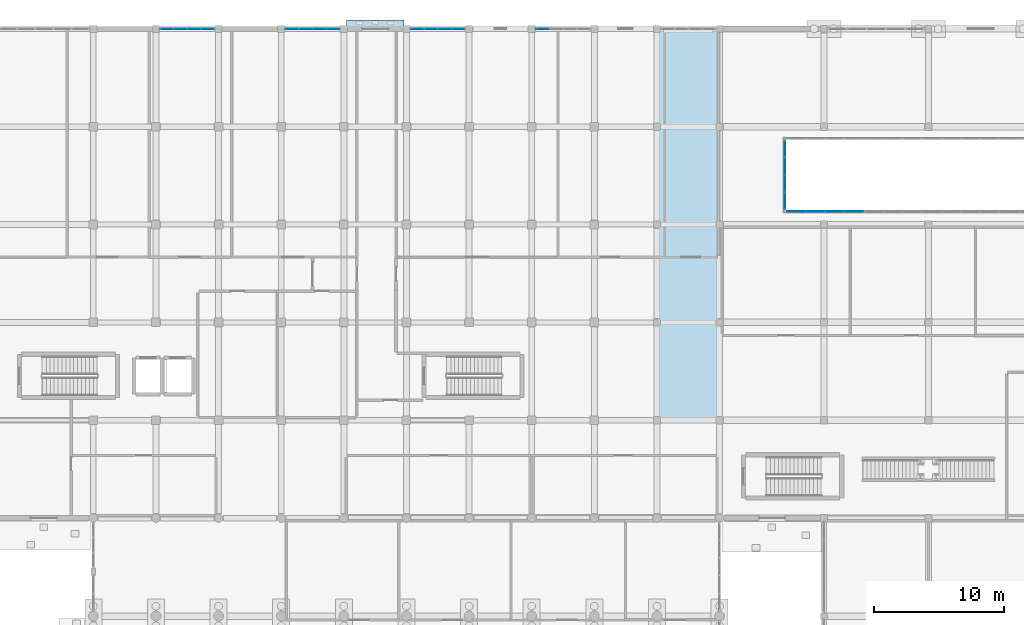
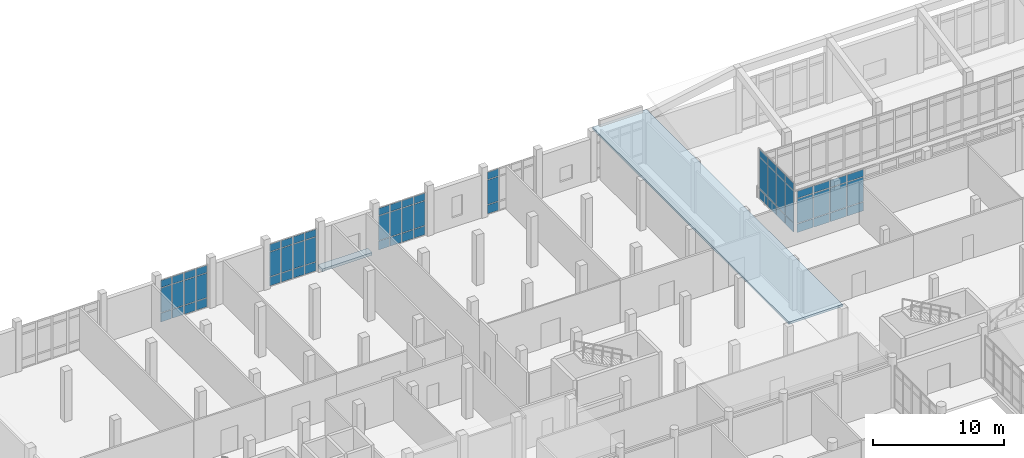
# One storey, part 139 of 173: 63 plates, 2 slabs, 6 elements without a shape of their own.
"""IFC4 building model written with IfcOpenShell, lengths in metres."""

import ifcopenshell
import ifcopenshell.guid

model = None  # the IFC model being written
_history = None  # IfcOwnerHistory: only IFC2X3 demands one
_inside = {}  # id of a spatial element -> (the spatial element, [elements in it])
_under = {}  # id of a project, library or spatial element -> (it, [spatial elements below it])
_declared = {}  # id of a project -> (the project, [libraries it declares])
_typed = {}  # id of a type object -> (the type object, [elements of that type])
_made_of = {}  # id of a material, layer set ... -> (it, [elements and type objects made of it])


def new_model(schema):
    """Start an empty IFC model of exactly this schema.

    Asked for "IFC4X3", IfcOpenShell would pick the latest addendum, in which some entities
    have other attributes; the version numbers below select the first issue.
    IFC2X3 requires an IfcOwnerHistory on every rooted entity: one is made here for all.
    """
    global model, _history
    if schema == "IFC4X3":
        model = ifcopenshell.file(schema_version=(4, 3, 0, 0))
    else:
        model = ifcopenshell.file(schema=schema)
    _inside.clear()
    _under.clear()
    _declared.clear()
    _typed.clear()
    _made_of.clear()
    _history = None
    if model.schema == "IFC2X3":
        org = make("IfcOrganization", Name="unknown")
        user = make(
            "IfcPersonAndOrganization",
            ThePerson=make("IfcPerson", FamilyName="unknown"),
            TheOrganization=org,
        )
        app = make(
            "IfcApplication",
            ApplicationDeveloper=org,
            Version="unknown",
            ApplicationFullName="unknown",
            ApplicationIdentifier="unknown",
        )
        _history = make(
            "IfcOwnerHistory",
            OwningUser=user,
            OwningApplication=app,
            ChangeAction="ADDED",
            CreationDate=0,
        )
    return model


def make(cls, **values):
    """One entity of the class cls with the attributes given. An attribute that is None is left unset."""
    return model.create_entity(
        cls, **{name: value for name, value in values.items() if value is not None}
    )


def rooted(cls, **values):
    """An entity with a GlobalId (a new one), such as an element, a storey or a relation."""
    return make(cls, GlobalId=ifcopenshell.guid.new(), OwnerHistory=_history, **values)


def si_unit(unit_type, name, prefix=None):
    """IfcSIUnit, for example si_unit("LENGTHUNIT", "METRE", prefix="MILLI")."""
    return make("IfcSIUnit", UnitType=unit_type, Prefix=prefix, Name=name)


def assignment(units):
    """IfcUnitAssignment: the units of a project."""
    return None if units is None else make("IfcUnitAssignment", Units=units)


def point(xyz):
    """IfcCartesianPoint."""
    return None if xyz is None else make("IfcCartesianPoint", Coordinates=xyz)


def direction(xyz):
    """IfcDirection."""
    return None if xyz is None else make("IfcDirection", DirectionRatios=xyz)


def frame(location, z_axis=None, x_axis=None):
    """IfcAxis2Placement3D, a coordinate frame: its origin and axes. An axis left out is left unset."""
    return make(
        "IfcAxis2Placement3D",
        Location=point(location),
        Axis=direction(z_axis),
        RefDirection=direction(x_axis),
    )


def frame_2d(location, x_axis=None):
    """IfcAxis2Placement2D, a coordinate frame in the plane: its origin and x axis."""
    return make(
        "IfcAxis2Placement2D", Location=point(location), RefDirection=direction(x_axis)
    )


def origin():
    """The frame at (0, 0, 0) with its axes left unset."""
    return frame((0.0, 0.0, 0.0))


def origin_2d():
    """The frame at (0, 0) in the plane with its x axis left unset."""
    return frame_2d((0.0, 0.0))


def place(relative_to, where):
    """IfcLocalPlacement: puts the frame where relative to a parent placement (None: the world)."""
    return make(
        "IfcLocalPlacement", PlacementRelTo=relative_to, RelativePlacement=where
    )


def context(
    kind, dimensions, precision=None, world=None, true_north=None, identifier=None
):
    """IfcGeometricRepresentationContext, for example the 3D "Model" context."""
    return make(
        "IfcGeometricRepresentationContext",
        ContextIdentifier=identifier,
        ContextType=kind,
        CoordinateSpaceDimension=dimensions,
        Precision=precision,
        WorldCoordinateSystem=world,
        TrueNorth=true_north,
    )


def subcontext(parent, identifier, kind, view, scale=None):
    """IfcGeometricRepresentationSubContext, for example "Body" below "Model"."""
    return make(
        "IfcGeometricRepresentationSubContext",
        ContextIdentifier=identifier,
        ContextType=kind,
        ParentContext=parent,
        TargetScale=scale,
        TargetView=view,
    )


def project(units=None, contexts=None):
    """IfcProject with its units and contexts."""
    return rooted(
        "IfcProject",
        Name="project",
        RepresentationContexts=contexts,
        UnitsInContext=assignment(units),
    )


def spatial(cls, under=None, at=None, **own):
    """A site, building, storey or space (cls), placed at a placement, below another one or the project."""
    s = rooted(cls, ObjectPlacement=at, **own)
    if under is not None:
        _under.setdefault(under.id(), (under, []))[1].append(s)
    return s


def polyline(points):
    """IfcPolyline through the points."""
    return make("IfcPolyline", Points=[point(p) for p in points])


def profile(cls, at=None, kind="AREA", **sizes):
    """A parametric profile (cls). Its sizes go by their IFC names, for example OverallWidth=200.0."""
    return make(cls, ProfileType=kind, Position=at, **sizes)


def rectangle(**sizes):
    """IfcRectangleProfileDef."""
    return profile("IfcRectangleProfileDef", **sizes)


def outline(outer, holes=None, kind="AREA"):
    """IfcArbitraryClosedProfileDef: a profile drawn as a closed curve; with holes, ...WithVoids."""
    if holes is None:
        return make("IfcArbitraryClosedProfileDef", ProfileType=kind, OuterCurve=outer)
    return make(
        "IfcArbitraryProfileDefWithVoids",
        ProfileType=kind,
        OuterCurve=outer,
        InnerCurves=holes,
    )


def extrude(swept, where, along, depth):
    """IfcExtrudedAreaSolid: the profile swept, set in the frame where, extruded along a direction by depth."""
    return make(
        "IfcExtrudedAreaSolid",
        SweptArea=swept,
        Position=where,
        ExtrudedDirection=direction(along),
        Depth=depth,
    )


def shape(context_of_items, identifier, shape_type, items):
    """IfcShapeRepresentation: the items that make up one representation, for example the "Body"."""
    return make(
        "IfcShapeRepresentation",
        ContextOfItems=context_of_items,
        RepresentationIdentifier=identifier,
        RepresentationType=shape_type,
        Items=items,
    )


def material(Name=None, Category=None):
    """IfcMaterial."""
    return make("IfcMaterial", Name=Name, Category=Category)


def layer(
    of_material, thickness, ventilated=None, Name=None, Category=None, Priority=None
):
    """IfcMaterialLayer: one layer of a wall or slab, of a material (None: an air gap)."""
    return make(
        "IfcMaterialLayer",
        Material=of_material,
        LayerThickness=thickness,
        IsVentilated=ventilated,
        Name=Name,
        Category=Category,
        Priority=Priority,
    )


def layer_set(layers, Name=None):
    """IfcMaterialLayerSet."""
    return make("IfcMaterialLayerSet", MaterialLayers=layers, LayerSetName=Name)


def made_of(thing, what):
    """Note that an element or type object is made of a material, layer set ...; save() writes the relation."""
    if what is not None:
        _made_of.setdefault(what.id(), (what, []))[1].append(thing)
    return thing


def type_object(cls, material=None, **own):
    """A type object (cls), such as IfcWallType, which elements share."""
    return made_of(rooted(cls, **own), material)


def element(
    cls,
    number,
    at=None,
    inside=None,
    cuts=None,
    type_object=None,
    material=None,
    context=None,
    identifier="Body",
    shape_type=None,
    held_by="IfcProductDefinitionShape",
    body=None,
    shapes=None,
    **own,
):
    """One element of the class cls, such as IfcWall. Its Tag is "e" and its number.

    at: its placement. inside: the storey or other place that contains it. cuts: it is an
    opening in that element (IfcRelVoidsElement). A single representation is given by context,
    identifier, shape_type and body (its items); several are given by shapes. held_by: the class
    of the entity that holds the representations. save() writes the other relations.
    """
    e = rooted(cls, Tag="e%d" % number, ObjectPlacement=at, **own)
    if body is not None:
        shapes = [shape(context, identifier, shape_type, body)]
    if shapes is not None:
        e.Representation = make(held_by, Representations=shapes)
    if inside is not None:
        _inside.setdefault(inside.id(), (inside, []))[1].append(e)
    if cuts is not None:
        rooted(
            "IfcRelVoidsElement", RelatingBuildingElement=cuts, RelatedOpeningElement=e
        )
    if type_object is not None:
        _typed.setdefault(type_object.id(), (type_object, []))[1].append(e)
    return made_of(e, material)


def aggregate(whole, parts):
    """IfcRelAggregates: a whole, such as a stair, and the parts it consists of."""
    return rooted("IfcRelAggregates", RelatingObject=whole, RelatedObjects=parts)


def save(model, path):
    """Write the relations noted so far, then the file.

    IfcRelAggregates (storeys below a building ...), IfcRelContainedInSpatialStructure (elements
    in a storey), IfcRelDefinesByType, IfcRelAssociatesMaterial and IfcRelDeclares: one each for
    every whole, place, type object, material and project.
    """
    for whole, parts in _under.values():
        aggregate(whole, parts)
    for where, things in _inside.values():
        rooted(
            "IfcRelContainedInSpatialStructure",
            RelatedElements=things,
            RelatingStructure=where,
        )
    for kind, things in _typed.values():
        rooted("IfcRelDefinesByType", RelatedObjects=things, RelatingType=kind)
    for what, things in _made_of.values():
        rooted("IfcRelAssociatesMaterial", RelatedObjects=things, RelatingMaterial=what)
    for by, libraries in _declared.values():
        rooted("IfcRelDeclares", RelatingContext=by, RelatedDefinitions=libraries)
    model.write(path)


model = new_model("IFC4")

# Units and contexts
model_context = context("Model", 3, precision=1e-05, world=origin(), true_north=direction((0.0, 1.0)))
body_context = subcontext(model_context, "Body", "Model", "MODEL_VIEW")
ifc_project = project(units=[si_unit("LENGTHUNIT", "METRE"), si_unit("AREAUNIT", "SQUARE_METRE"), si_unit("VOLUMEUNIT", "CUBIC_METRE"), si_unit("PLANEANGLEUNIT", "RADIAN"), si_unit("MASSUNIT", "GRAM", prefix="KILO")], contexts=[model_context])

# Site, building, storey
site_placement = place(None, origin())
site = spatial("IfcSite", under=ifc_project, at=site_placement, CompositionType="ELEMENT")
building_placement = place(site_placement, origin())
building = spatial("IfcBuilding", under=site, at=building_placement, Name="Mawjan Specialist Oncology Clinic", CompositionType="ELEMENT")
storey_placement = place(building_placement, origin())
storey = spatial("IfcBuildingStorey", under=building, at=storey_placement, Name="L00", CompositionType="ELEMENT", Elevation=0.0)

# Slab
ifc_material_1 = material(Name="Concrete C40/50", Category="concrete")
ifc_layer_1 = layer(ifc_material_1, 0.25, Name="Concrete C40/50", Category="concrete")
ifc_layer_set_1 = layer_set([ifc_layer_1], Name="Concrete C40/50")
slab_type_1 = type_object("IfcSlabType", Name="AP-250", PredefinedType="BASESLAB", material=ifc_layer_set_1)
slab_1_placement = place(storey_placement, frame((0.0, 0.0, -0.25)))
element("IfcSlab", 1, at=slab_1_placement, inside=storey, type_object=slab_type_1, Name="Ground Exterior Paved Apron SLB-APR-K4", PredefinedType="BASESLAB", context=body_context, shape_type="SweptSolid", body=[
    extrude(outline(polyline([(79.39990234375, 113.300048828125), (83.800048828125, 113.300048828125), (83.800048828125, 113.97998046875), (79.39990234375, 113.97998046875), (79.39990234375, 113.300048828125)])), origin(), (0.0, 0.0, 1.0), 0.25),
])

# Curtain wall, plates
ifc_material_2 = material(Name="Unitised spectrally selective aluminium curtain wall", Category="aluminium")
ifc_layer_2 = layer(ifc_material_2, 0.179931640625, Name="Unitised spectrally selective aluminium curtain wall", Category="aluminium")
ifc_layer_set_2 = layer_set([ifc_layer_2], Name="Unitised spectrally selective aluminium curtain wall")
curtain_wall_type_1 = type_object("IfcCurtainWallType", Name="CW-13", PredefinedType="NOTDEFINED", material=ifc_layer_set_2)
curtain_wall_1_placement = place(storey_placement, origin())
curtain_wall_1 = element("IfcCurtainWall", 2, at=curtain_wall_1_placement, inside=storey, type_object=curtain_wall_type_1, Name="L00 Unitised Curtain Wall CW-L00-022", PredefinedType="NOTDEFINED")
ifc_material_3 = material(Name="Spectrally selective double low-E glazing", Category="glass")
ifc_layer_3 = layer(ifc_material_3, 0.035888671875, Name="Spectrally selective double low-E glazing", Category="glass")
ifc_layer_set_3 = layer_set([ifc_layer_3], Name="Spectrally selective double low-E glazing")
plate_type = type_object("IfcPlateType", Name="CW-P36", PredefinedType="CURTAIN_PANEL", material=ifc_layer_set_3)
plate_1_placement = place(storey_placement, frame((65.63623046875, 113.300048828125, 0.06005859375), z_axis=(0.0, 0.0, 1.0), x_axis=(1.0, 0.0, 0.0)))
plate_1 = element("IfcPlate", 3, at=plate_1_placement, type_object=plate_type, Name="CW-13 panel 1.1", PredefinedType="CURTAIN_PANEL", context=body_context, shape_type="SweptSolid", body=[
    extrude(rectangle(XDim=0.96240234375, YDim=0.035888671875, at=origin_2d()), origin(), (0.0, 0.0, 1.0), 0.81005859375),
])
plate_2_placement = place(storey_placement, frame((65.63623046875, 113.300048828125, 0.929931640625), z_axis=(0.0, 0.0, 1.0), x_axis=(1.0, 0.0, 0.0)))
plate_2 = element("IfcPlate", 4, at=plate_2_placement, type_object=plate_type, Name="CW-13 panel 1.2", PredefinedType="CURTAIN_PANEL", context=body_context, shape_type="SweptSolid", body=[
    extrude(rectangle(XDim=0.96240234375, YDim=0.035888671875, at=origin_2d()), origin(), (0.0, 0.0, 1.0), 2.27490234375),
])
plate_3_placement = place(storey_placement, frame((65.63623046875, 113.300048828125, 3.26513671875), z_axis=(0.0, 0.0, 1.0), x_axis=(1.0, 0.0, 0.0)))
plate_3 = element("IfcPlate", 5, at=plate_3_placement, type_object=plate_type, Name="CW-13 panel 1.3", PredefinedType="CURTAIN_PANEL", context=body_context, shape_type="SweptSolid", body=[
    extrude(rectangle(XDim=0.96240234375, YDim=0.035888671875, at=origin_2d()), origin(), (0.0, 0.0, 1.0), 0.659912109375),
])
plate_4_placement = place(storey_placement, frame((66.673828125, 113.300048828125, 0.06005859375), z_axis=(0.0, 0.0, 1.0), x_axis=(1.0, 0.0, 0.0)))
plate_4 = element("IfcPlate", 6, at=plate_4_placement, type_object=plate_type, Name="CW-13 panel 2.1", PredefinedType="CURTAIN_PANEL", context=body_context, shape_type="SweptSolid", body=[
    extrude(rectangle(XDim=0.992431640625, YDim=0.035888671875, at=origin_2d()), origin(), (0.0, 0.0, 1.0), 0.81005859375),
])
plate_5_placement = place(storey_placement, frame((66.673828125, 113.300048828125, 0.929931640625), z_axis=(0.0, 0.0, 1.0), x_axis=(1.0, 0.0, 0.0)))
plate_5 = element("IfcPlate", 7, at=plate_5_placement, type_object=plate_type, Name="CW-13 panel 2.2", PredefinedType="CURTAIN_PANEL", context=body_context, shape_type="SweptSolid", body=[
    extrude(rectangle(XDim=0.992431640625, YDim=0.035888671875, at=origin_2d()), origin(), (0.0, 0.0, 1.0), 2.27490234375),
])
plate_6_placement = place(storey_placement, frame((66.673828125, 113.300048828125, 3.26513671875), z_axis=(0.0, 0.0, 1.0), x_axis=(1.0, 0.0, 0.0)))
plate_6 = element("IfcPlate", 8, at=plate_6_placement, type_object=plate_type, Name="CW-13 panel 2.3", PredefinedType="CURTAIN_PANEL", context=body_context, shape_type="SweptSolid", body=[
    extrude(rectangle(XDim=0.992431640625, YDim=0.035888671875, at=origin_2d()), origin(), (0.0, 0.0, 1.0), 0.659912109375),
])
plate_7_placement = place(storey_placement, frame((67.726318359375, 113.300048828125, 0.06005859375), z_axis=(0.0, 0.0, 1.0), x_axis=(1.0, 0.0, 0.0)))
plate_7 = element("IfcPlate", 9, at=plate_7_placement, type_object=plate_type, Name="CW-13 panel 3.1", PredefinedType="CURTAIN_PANEL", context=body_context, shape_type="SweptSolid", body=[
    extrude(rectangle(XDim=0.992431640625, YDim=0.035888671875, at=origin_2d()), origin(), (0.0, 0.0, 1.0), 0.81005859375),
])
plate_8_placement = place(storey_placement, frame((67.726318359375, 113.300048828125, 0.929931640625), z_axis=(0.0, 0.0, 1.0), x_axis=(1.0, 0.0, 0.0)))
plate_8 = element("IfcPlate", 10, at=plate_8_placement, type_object=plate_type, Name="CW-13 panel 3.2", PredefinedType="CURTAIN_PANEL", context=body_context, shape_type="SweptSolid", body=[
    extrude(rectangle(XDim=0.992431640625, YDim=0.035888671875, at=origin_2d()), origin(), (0.0, 0.0, 1.0), 2.27490234375),
])
plate_9_placement = place(storey_placement, frame((67.726318359375, 113.300048828125, 3.26513671875), z_axis=(0.0, 0.0, 1.0), x_axis=(1.0, 0.0, 0.0)))
plate_9 = element("IfcPlate", 11, at=plate_9_placement, type_object=plate_type, Name="CW-13 panel 3.3", PredefinedType="CURTAIN_PANEL", context=body_context, shape_type="SweptSolid", body=[
    extrude(rectangle(XDim=0.992431640625, YDim=0.035888671875, at=origin_2d()), origin(), (0.0, 0.0, 1.0), 0.659912109375),
])
plate_10_placement = place(storey_placement, frame((68.763671875, 113.300048828125, 0.06005859375), z_axis=(0.0, 0.0, 1.0), x_axis=(1.0, 0.0, 0.0)))
plate_10 = element("IfcPlate", 12, at=plate_10_placement, type_object=plate_type, Name="CW-13 panel 4.1", PredefinedType="CURTAIN_PANEL", context=body_context, shape_type="SweptSolid", body=[
    extrude(rectangle(XDim=0.96240234375, YDim=0.035888671875, at=origin_2d()), origin(), (0.0, 0.0, 1.0), 0.81005859375),
])
plate_11_placement = place(storey_placement, frame((68.763671875, 113.300048828125, 0.929931640625), z_axis=(0.0, 0.0, 1.0), x_axis=(1.0, 0.0, 0.0)))
plate_11 = element("IfcPlate", 13, at=plate_11_placement, type_object=plate_type, Name="CW-13 panel 4.2", PredefinedType="CURTAIN_PANEL", context=body_context, shape_type="SweptSolid", body=[
    extrude(rectangle(XDim=0.96240234375, YDim=0.035888671875, at=origin_2d()), origin(), (0.0, 0.0, 1.0), 2.27490234375),
])
plate_12_placement = place(storey_placement, frame((68.763671875, 113.300048828125, 3.26513671875), z_axis=(0.0, 0.0, 1.0), x_axis=(1.0, 0.0, 0.0)))
plate_12 = element("IfcPlate", 14, at=plate_12_placement, type_object=plate_type, Name="CW-13 panel 4.3", PredefinedType="CURTAIN_PANEL", context=body_context, shape_type="SweptSolid", body=[
    extrude(rectangle(XDim=0.96240234375, YDim=0.035888671875, at=origin_2d()), origin(), (0.0, 0.0, 1.0), 0.659912109375),
])
aggregate(curtain_wall_1, [plate_1, plate_2, plate_3, plate_4, plate_5, plate_6, plate_7, plate_8, plate_9, plate_10, plate_11, plate_12])

curtain_wall_2_placement = place(storey_placement, origin())
curtain_wall_2 = element("IfcCurtainWall", 15, at=curtain_wall_2_placement, inside=storey, type_object=curtain_wall_type_1, Name="L00 Unitised Curtain Wall CW-L00-023", PredefinedType="NOTDEFINED")
plate_13_placement = place(storey_placement, frame((75.236328125, 113.300048828125, 0.06005859375), z_axis=(0.0, 0.0, 1.0), x_axis=(1.0, 0.0, 0.0)))
plate_13 = element("IfcPlate", 16, at=plate_13_placement, type_object=plate_type, Name="CW-13 panel 1.1", PredefinedType="CURTAIN_PANEL", context=body_context, shape_type="SweptSolid", body=[
    extrude(rectangle(XDim=0.96240234375, YDim=0.035888671875, at=origin_2d()), origin(), (0.0, 0.0, 1.0), 0.81005859375),
])
plate_14_placement = place(storey_placement, frame((75.236328125, 113.300048828125, 0.929931640625), z_axis=(0.0, 0.0, 1.0), x_axis=(1.0, 0.0, 0.0)))
plate_14 = element("IfcPlate", 17, at=plate_14_placement, type_object=plate_type, Name="CW-13 panel 1.2", PredefinedType="CURTAIN_PANEL", context=body_context, shape_type="SweptSolid", body=[
    extrude(rectangle(XDim=0.96240234375, YDim=0.035888671875, at=origin_2d()), origin(), (0.0, 0.0, 1.0), 2.27490234375),
])
plate_15_placement = place(storey_placement, frame((75.236328125, 113.300048828125, 3.26513671875), z_axis=(0.0, 0.0, 1.0), x_axis=(1.0, 0.0, 0.0)))
plate_15 = element("IfcPlate", 18, at=plate_15_placement, type_object=plate_type, Name="CW-13 panel 1.3", PredefinedType="CURTAIN_PANEL", context=body_context, shape_type="SweptSolid", body=[
    extrude(rectangle(XDim=0.96240234375, YDim=0.035888671875, at=origin_2d()), origin(), (0.0, 0.0, 1.0), 0.659912109375),
])
plate_16_placement = place(storey_placement, frame((76.273681640625, 113.300048828125, 0.06005859375), z_axis=(0.0, 0.0, 1.0), x_axis=(1.0, 0.0, 0.0)))
plate_16 = element("IfcPlate", 19, at=plate_16_placement, type_object=plate_type, Name="CW-13 panel 2.1", PredefinedType="CURTAIN_PANEL", context=body_context, shape_type="SweptSolid", body=[
    extrude(rectangle(XDim=0.992431640625, YDim=0.035888671875, at=origin_2d()), origin(), (0.0, 0.0, 1.0), 0.81005859375),
])
plate_17_placement = place(storey_placement, frame((76.273681640625, 113.300048828125, 0.929931640625), z_axis=(0.0, 0.0, 1.0), x_axis=(1.0, 0.0, 0.0)))
plate_17 = element("IfcPlate", 20, at=plate_17_placement, type_object=plate_type, Name="CW-13 panel 2.2", PredefinedType="CURTAIN_PANEL", context=body_context, shape_type="SweptSolid", body=[
    extrude(rectangle(XDim=0.992431640625, YDim=0.035888671875, at=origin_2d()), origin(), (0.0, 0.0, 1.0), 2.27490234375),
])
plate_18_placement = place(storey_placement, frame((76.273681640625, 113.300048828125, 3.26513671875), z_axis=(0.0, 0.0, 1.0), x_axis=(1.0, 0.0, 0.0)))
plate_18 = element("IfcPlate", 21, at=plate_18_placement, type_object=plate_type, Name="CW-13 panel 2.3", PredefinedType="CURTAIN_PANEL", context=body_context, shape_type="SweptSolid", body=[
    extrude(rectangle(XDim=0.992431640625, YDim=0.035888671875, at=origin_2d()), origin(), (0.0, 0.0, 1.0), 0.659912109375),
])
plate_19_placement = place(storey_placement, frame((77.326171875, 113.300048828125, 0.06005859375), z_axis=(0.0, 0.0, 1.0), x_axis=(1.0, 0.0, 0.0)))
plate_19 = element("IfcPlate", 22, at=plate_19_placement, type_object=plate_type, Name="CW-13 panel 3.1", PredefinedType="CURTAIN_PANEL", context=body_context, shape_type="SweptSolid", body=[
    extrude(rectangle(XDim=0.992431640625, YDim=0.035888671875, at=origin_2d()), origin(), (0.0, 0.0, 1.0), 0.81005859375),
])
plate_20_placement = place(storey_placement, frame((77.326171875, 113.300048828125, 0.929931640625), z_axis=(0.0, 0.0, 1.0), x_axis=(1.0, 0.0, 0.0)))
plate_20 = element("IfcPlate", 23, at=plate_20_placement, type_object=plate_type, Name="CW-13 panel 3.2", PredefinedType="CURTAIN_PANEL", context=body_context, shape_type="SweptSolid", body=[
    extrude(rectangle(XDim=0.992431640625, YDim=0.035888671875, at=origin_2d()), origin(), (0.0, 0.0, 1.0), 2.27490234375),
])
plate_21_placement = place(storey_placement, frame((77.326171875, 113.300048828125, 3.26513671875), z_axis=(0.0, 0.0, 1.0), x_axis=(1.0, 0.0, 0.0)))
plate_21 = element("IfcPlate", 24, at=plate_21_placement, type_object=plate_type, Name="CW-13 panel 3.3", PredefinedType="CURTAIN_PANEL", context=body_context, shape_type="SweptSolid", body=[
    extrude(rectangle(XDim=0.992431640625, YDim=0.035888671875, at=origin_2d()), origin(), (0.0, 0.0, 1.0), 0.659912109375),
])
plate_22_placement = place(storey_placement, frame((78.36376953125, 113.300048828125, 0.06005859375), z_axis=(0.0, 0.0, 1.0), x_axis=(1.0, 0.0, 0.0)))
plate_22 = element("IfcPlate", 25, at=plate_22_placement, type_object=plate_type, Name="CW-13 panel 4.1", PredefinedType="CURTAIN_PANEL", context=body_context, shape_type="SweptSolid", body=[
    extrude(rectangle(XDim=0.96240234375, YDim=0.035888671875, at=origin_2d()), origin(), (0.0, 0.0, 1.0), 0.81005859375),
])
plate_23_placement = place(storey_placement, frame((78.36376953125, 113.300048828125, 0.929931640625), z_axis=(0.0, 0.0, 1.0), x_axis=(1.0, 0.0, 0.0)))
plate_23 = element("IfcPlate", 26, at=plate_23_placement, type_object=plate_type, Name="CW-13 panel 4.2", PredefinedType="CURTAIN_PANEL", context=body_context, shape_type="SweptSolid", body=[
    extrude(rectangle(XDim=0.96240234375, YDim=0.035888671875, at=origin_2d()), origin(), (0.0, 0.0, 1.0), 2.27490234375),
])
plate_24_placement = place(storey_placement, frame((78.36376953125, 113.300048828125, 3.26513671875), z_axis=(0.0, 0.0, 1.0), x_axis=(1.0, 0.0, 0.0)))
plate_24 = element("IfcPlate", 27, at=plate_24_placement, type_object=plate_type, Name="CW-13 panel 4.3", PredefinedType="CURTAIN_PANEL", context=body_context, shape_type="SweptSolid", body=[
    extrude(rectangle(XDim=0.96240234375, YDim=0.035888671875, at=origin_2d()), origin(), (0.0, 0.0, 1.0), 0.659912109375),
])
aggregate(curtain_wall_2, [plate_13, plate_14, plate_15, plate_16, plate_17, plate_18, plate_19, plate_20, plate_21, plate_22, plate_23, plate_24])

curtain_wall_3_placement = place(storey_placement, origin())
curtain_wall_3 = element("IfcCurtainWall", 28, at=curtain_wall_3_placement, inside=storey, type_object=curtain_wall_type_1, Name="L00 Unitised Curtain Wall CW-L00-024", PredefinedType="NOTDEFINED")
plate_25_placement = place(storey_placement, frame((84.836181640625, 113.300048828125, 0.06005859375), z_axis=(0.0, 0.0, 1.0), x_axis=(1.0, 0.0, 0.0)))
plate_25 = element("IfcPlate", 29, at=plate_25_placement, type_object=plate_type, Name="CW-13 panel 1.1", PredefinedType="CURTAIN_PANEL", context=body_context, shape_type="SweptSolid", body=[
    extrude(rectangle(XDim=0.96240234375, YDim=0.035888671875, at=origin_2d()), origin(), (0.0, 0.0, 1.0), 0.81005859375),
])
plate_26_placement = place(storey_placement, frame((84.836181640625, 113.300048828125, 0.929931640625), z_axis=(0.0, 0.0, 1.0), x_axis=(1.0, 0.0, 0.0)))
plate_26 = element("IfcPlate", 30, at=plate_26_placement, type_object=plate_type, Name="CW-13 panel 1.2", PredefinedType="CURTAIN_PANEL", context=body_context, shape_type="SweptSolid", body=[
    extrude(rectangle(XDim=0.96240234375, YDim=0.035888671875, at=origin_2d()), origin(), (0.0, 0.0, 1.0), 2.27490234375),
])
plate_27_placement = place(storey_placement, frame((84.836181640625, 113.300048828125, 3.26513671875), z_axis=(0.0, 0.0, 1.0), x_axis=(1.0, 0.0, 0.0)))
plate_27 = element("IfcPlate", 31, at=plate_27_placement, type_object=plate_type, Name="CW-13 panel 1.3", PredefinedType="CURTAIN_PANEL", context=body_context, shape_type="SweptSolid", body=[
    extrude(rectangle(XDim=0.96240234375, YDim=0.035888671875, at=origin_2d()), origin(), (0.0, 0.0, 1.0), 0.659912109375),
])
plate_28_placement = place(storey_placement, frame((85.873779296875, 113.300048828125, 0.06005859375), z_axis=(0.0, 0.0, 1.0), x_axis=(1.0, 0.0, 0.0)))
plate_28 = element("IfcPlate", 32, at=plate_28_placement, type_object=plate_type, Name="CW-13 panel 2.1", PredefinedType="CURTAIN_PANEL", context=body_context, shape_type="SweptSolid", body=[
    extrude(rectangle(XDim=0.992431640625, YDim=0.035888671875, at=origin_2d()), origin(), (0.0, 0.0, 1.0), 0.81005859375),
])
plate_29_placement = place(storey_placement, frame((85.873779296875, 113.300048828125, 0.929931640625), z_axis=(0.0, 0.0, 1.0), x_axis=(1.0, 0.0, 0.0)))
plate_29 = element("IfcPlate", 33, at=plate_29_placement, type_object=plate_type, Name="CW-13 panel 2.2", PredefinedType="CURTAIN_PANEL", context=body_context, shape_type="SweptSolid", body=[
    extrude(rectangle(XDim=0.992431640625, YDim=0.035888671875, at=origin_2d()), origin(), (0.0, 0.0, 1.0), 2.27490234375),
])
plate_30_placement = place(storey_placement, frame((85.873779296875, 113.300048828125, 3.26513671875), z_axis=(0.0, 0.0, 1.0), x_axis=(1.0, 0.0, 0.0)))
plate_30 = element("IfcPlate", 34, at=plate_30_placement, type_object=plate_type, Name="CW-13 panel 2.3", PredefinedType="CURTAIN_PANEL", context=body_context, shape_type="SweptSolid", body=[
    extrude(rectangle(XDim=0.992431640625, YDim=0.035888671875, at=origin_2d()), origin(), (0.0, 0.0, 1.0), 0.659912109375),
])
plate_31_placement = place(storey_placement, frame((86.92626953125, 113.300048828125, 0.06005859375), z_axis=(0.0, 0.0, 1.0), x_axis=(1.0, 0.0, 0.0)))
plate_31 = element("IfcPlate", 35, at=plate_31_placement, type_object=plate_type, Name="CW-13 panel 3.1", PredefinedType="CURTAIN_PANEL", context=body_context, shape_type="SweptSolid", body=[
    extrude(rectangle(XDim=0.992431640625, YDim=0.035888671875, at=origin_2d()), origin(), (0.0, 0.0, 1.0), 0.81005859375),
])
plate_32_placement = place(storey_placement, frame((86.92626953125, 113.300048828125, 0.929931640625), z_axis=(0.0, 0.0, 1.0), x_axis=(1.0, 0.0, 0.0)))
plate_32 = element("IfcPlate", 36, at=plate_32_placement, type_object=plate_type, Name="CW-13 panel 3.2", PredefinedType="CURTAIN_PANEL", context=body_context, shape_type="SweptSolid", body=[
    extrude(rectangle(XDim=0.992431640625, YDim=0.035888671875, at=origin_2d()), origin(), (0.0, 0.0, 1.0), 2.27490234375),
])
plate_33_placement = place(storey_placement, frame((86.92626953125, 113.300048828125, 3.26513671875), z_axis=(0.0, 0.0, 1.0), x_axis=(1.0, 0.0, 0.0)))
plate_33 = element("IfcPlate", 37, at=plate_33_placement, type_object=plate_type, Name="CW-13 panel 3.3", PredefinedType="CURTAIN_PANEL", context=body_context, shape_type="SweptSolid", body=[
    extrude(rectangle(XDim=0.992431640625, YDim=0.035888671875, at=origin_2d()), origin(), (0.0, 0.0, 1.0), 0.659912109375),
])
plate_34_placement = place(storey_placement, frame((87.9638671875, 113.300048828125, 0.06005859375), z_axis=(0.0, 0.0, 1.0), x_axis=(1.0, 0.0, 0.0)))
plate_34 = element("IfcPlate", 38, at=plate_34_placement, type_object=plate_type, Name="CW-13 panel 4.1", PredefinedType="CURTAIN_PANEL", context=body_context, shape_type="SweptSolid", body=[
    extrude(rectangle(XDim=0.96240234375, YDim=0.035888671875, at=origin_2d()), origin(), (0.0, 0.0, 1.0), 0.81005859375),
])
plate_35_placement = place(storey_placement, frame((87.9638671875, 113.300048828125, 0.929931640625), z_axis=(0.0, 0.0, 1.0), x_axis=(1.0, 0.0, 0.0)))
plate_35 = element("IfcPlate", 39, at=plate_35_placement, type_object=plate_type, Name="CW-13 panel 4.2", PredefinedType="CURTAIN_PANEL", context=body_context, shape_type="SweptSolid", body=[
    extrude(rectangle(XDim=0.96240234375, YDim=0.035888671875, at=origin_2d()), origin(), (0.0, 0.0, 1.0), 2.27490234375),
])
plate_36_placement = place(storey_placement, frame((87.9638671875, 113.300048828125, 3.26513671875), z_axis=(0.0, 0.0, 1.0), x_axis=(1.0, 0.0, 0.0)))
plate_36 = element("IfcPlate", 40, at=plate_36_placement, type_object=plate_type, Name="CW-13 panel 4.3", PredefinedType="CURTAIN_PANEL", context=body_context, shape_type="SweptSolid", body=[
    extrude(rectangle(XDim=0.96240234375, YDim=0.035888671875, at=origin_2d()), origin(), (0.0, 0.0, 1.0), 0.659912109375),
])
aggregate(curtain_wall_3, [plate_25, plate_26, plate_27, plate_28, plate_29, plate_30, plate_31, plate_32, plate_33, plate_34, plate_35, plate_36])

curtain_wall_4_placement = place(storey_placement, origin())
curtain_wall_4 = element("IfcCurtainWall", 41, at=curtain_wall_4_placement, inside=storey, type_object=curtain_wall_type_1, Name="L00 Unitised Curtain Wall CW-L00-025", PredefinedType="NOTDEFINED")
plate_37_placement = place(storey_placement, frame((94.436279296875, 113.300048828125, 0.06005859375), z_axis=(0.0, 0.0, 1.0), x_axis=(1.0, 0.0, 0.0)))
plate_37 = element("IfcPlate", 42, at=plate_37_placement, type_object=plate_type, Name="CW-13 panel 1.1", PredefinedType="CURTAIN_PANEL", context=body_context, shape_type="SweptSolid", body=[
    extrude(rectangle(XDim=0.96240234375, YDim=0.035888671875, at=origin_2d()), origin(), (0.0, 0.0, 1.0), 0.81005859375),
])
plate_38_placement = place(storey_placement, frame((94.436279296875, 113.300048828125, 0.929931640625), z_axis=(0.0, 0.0, 1.0), x_axis=(1.0, 0.0, 0.0)))
plate_38 = element("IfcPlate", 43, at=plate_38_placement, type_object=plate_type, Name="CW-13 panel 1.2", PredefinedType="CURTAIN_PANEL", context=body_context, shape_type="SweptSolid", body=[
    extrude(rectangle(XDim=0.96240234375, YDim=0.035888671875, at=origin_2d()), origin(), (0.0, 0.0, 1.0), 2.27490234375),
])
plate_39_placement = place(storey_placement, frame((94.436279296875, 113.300048828125, 3.26513671875), z_axis=(0.0, 0.0, 1.0), x_axis=(1.0, 0.0, 0.0)))
plate_39 = element("IfcPlate", 44, at=plate_39_placement, type_object=plate_type, Name="CW-13 panel 1.3", PredefinedType="CURTAIN_PANEL", context=body_context, shape_type="SweptSolid", body=[
    extrude(rectangle(XDim=0.96240234375, YDim=0.035888671875, at=origin_2d()), origin(), (0.0, 0.0, 1.0), 0.659912109375),
])
aggregate(curtain_wall_4, [plate_37, plate_38, plate_39])

ifc_material_4 = material(Name="Unitised spectrally selective aluminium curtain wall", Category="aluminium")
ifc_layer_4 = layer(ifc_material_4, 0.179931640625, Name="Unitised spectrally selective aluminium curtain wall", Category="aluminium")
ifc_layer_set_4 = layer_set([ifc_layer_4], Name="Unitised spectrally selective aluminium curtain wall")
curtain_wall_type_2 = type_object("IfcCurtainWallType", Name="CW-32", PredefinedType="NOTDEFINED", material=ifc_layer_set_4)
curtain_wall_5_placement = place(storey_placement, origin())
curtain_wall_5 = element("IfcCurtainWall", 45, at=curtain_wall_5_placement, inside=storey, type_object=curtain_wall_type_2, Name="L00 Unitised Curtain Wall CW-L00-073", PredefinedType="NOTDEFINED")
plate_40_placement = place(storey_placement, frame((113.0, 104.10009765625, 0.070068359375), z_axis=(0.0, 0.0, 1.0), x_axis=(0.0, -1.0, 0.0)))
plate_40 = element("IfcPlate", 46, at=plate_40_placement, type_object=plate_type, Name="CW-32 panel 1.1", PredefinedType="CURTAIN_PANEL", context=body_context, shape_type="SweptSolid", body=[
    extrude(rectangle(XDim=1.239990234375, YDim=0.035888671875, at=origin_2d()), origin(), (0.0, 0.0, 1.0), 0.794921875),
])
plate_41_placement = place(storey_placement, frame((113.0, 104.10009765625, 0.93505859375), z_axis=(0.0, 0.0, 1.0), x_axis=(0.0, -1.0, 0.0)))
plate_41 = element("IfcPlate", 47, at=plate_41_placement, type_object=plate_type, Name="CW-32 panel 1.2", PredefinedType="CURTAIN_PANEL", context=body_context, shape_type="SweptSolid", body=[
    extrude(rectangle(XDim=1.239990234375, YDim=0.035888671875, at=origin_2d()), origin(), (0.0, 0.0, 1.0), 2.97998046875),
])
plate_42_placement = place(storey_placement, frame((113.0, 104.10009765625, 3.985107421875), z_axis=(0.0, 0.0, 1.0), x_axis=(0.0, -1.0, 0.0)))
plate_42 = element("IfcPlate", 48, at=plate_42_placement, type_object=plate_type, Name="CW-32 panel 1.3", PredefinedType="CURTAIN_PANEL", context=body_context, shape_type="SweptSolid", body=[
    extrude(rectangle(XDim=1.239990234375, YDim=0.035888671875, at=origin_2d()), origin(), (0.0, 0.0, 1.0), 0.64501953125),
])
plate_43_placement = place(storey_placement, frame((113.0, 102.7724609375, 0.070068359375), z_axis=(0.0, 0.0, 1.0), x_axis=(0.0, -1.0, 0.0)))
plate_43 = element("IfcPlate", 49, at=plate_43_placement, type_object=plate_type, Name="CW-32 panel 2.1", PredefinedType="CURTAIN_PANEL", context=body_context, shape_type="SweptSolid", body=[
    extrude(rectangle(XDim=1.27490234375, YDim=0.035888671875, at=origin_2d()), origin(), (0.0, 0.0, 1.0), 0.794921875),
])
plate_44_placement = place(storey_placement, frame((113.0, 102.7724609375, 0.93505859375), z_axis=(0.0, 0.0, 1.0), x_axis=(0.0, -1.0, 0.0)))
plate_44 = element("IfcPlate", 50, at=plate_44_placement, type_object=plate_type, Name="CW-32 panel 2.2", PredefinedType="CURTAIN_PANEL", context=body_context, shape_type="SweptSolid", body=[
    extrude(rectangle(XDim=1.27490234375, YDim=0.035888671875, at=origin_2d()), origin(), (0.0, 0.0, 1.0), 2.97998046875),
])
plate_45_placement = place(storey_placement, frame((113.0, 102.7724609375, 3.985107421875), z_axis=(0.0, 0.0, 1.0), x_axis=(0.0, -1.0, 0.0)))
plate_45 = element("IfcPlate", 51, at=plate_45_placement, type_object=plate_type, Name="CW-32 panel 2.3", PredefinedType="CURTAIN_PANEL", context=body_context, shape_type="SweptSolid", body=[
    extrude(rectangle(XDim=1.27490234375, YDim=0.035888671875, at=origin_2d()), origin(), (0.0, 0.0, 1.0), 0.64501953125),
])
plate_46_placement = place(storey_placement, frame((113.0, 101.427490234375, 0.070068359375), z_axis=(0.0, 0.0, 1.0), x_axis=(0.0, -1.0, 0.0)))
plate_46 = element("IfcPlate", 52, at=plate_46_placement, type_object=plate_type, Name="CW-32 panel 3.1", PredefinedType="CURTAIN_PANEL", context=body_context, shape_type="SweptSolid", body=[
    extrude(rectangle(XDim=1.27490234375, YDim=0.035888671875, at=origin_2d()), origin(), (0.0, 0.0, 1.0), 0.794921875),
])
plate_47_placement = place(storey_placement, frame((113.0, 101.427490234375, 0.93505859375), z_axis=(0.0, 0.0, 1.0), x_axis=(0.0, -1.0, 0.0)))
plate_47 = element("IfcPlate", 53, at=plate_47_placement, type_object=plate_type, Name="CW-32 panel 3.2", PredefinedType="CURTAIN_PANEL", context=body_context, shape_type="SweptSolid", body=[
    extrude(rectangle(XDim=1.27490234375, YDim=0.035888671875, at=origin_2d()), origin(), (0.0, 0.0, 1.0), 2.97998046875),
])
plate_48_placement = place(storey_placement, frame((113.0, 101.427490234375, 3.985107421875), z_axis=(0.0, 0.0, 1.0), x_axis=(0.0, -1.0, 0.0)))
plate_48 = element("IfcPlate", 54, at=plate_48_placement, type_object=plate_type, Name="CW-32 panel 3.3", PredefinedType="CURTAIN_PANEL", context=body_context, shape_type="SweptSolid", body=[
    extrude(rectangle(XDim=1.27490234375, YDim=0.035888671875, at=origin_2d()), origin(), (0.0, 0.0, 1.0), 0.64501953125),
])
plate_49_placement = place(storey_placement, frame((113.0, 100.10009765625, 0.070068359375), z_axis=(0.0, 0.0, 1.0), x_axis=(0.0, -1.0, 0.0)))
plate_49 = element("IfcPlate", 55, at=plate_49_placement, type_object=plate_type, Name="CW-32 panel 4.1", PredefinedType="CURTAIN_PANEL", context=body_context, shape_type="SweptSolid", body=[
    extrude(rectangle(XDim=1.239990234375, YDim=0.035888671875, at=origin_2d()), origin(), (0.0, 0.0, 1.0), 0.794921875),
])
plate_50_placement = place(storey_placement, frame((113.0, 100.10009765625, 0.93505859375), z_axis=(0.0, 0.0, 1.0), x_axis=(0.0, -1.0, 0.0)))
plate_50 = element("IfcPlate", 56, at=plate_50_placement, type_object=plate_type, Name="CW-32 panel 4.2", PredefinedType="CURTAIN_PANEL", context=body_context, shape_type="SweptSolid", body=[
    extrude(rectangle(XDim=1.239990234375, YDim=0.035888671875, at=origin_2d()), origin(), (0.0, 0.0, 1.0), 2.97998046875),
])
plate_51_placement = place(storey_placement, frame((113.0, 100.10009765625, 3.985107421875), z_axis=(0.0, 0.0, 1.0), x_axis=(0.0, -1.0, 0.0)))
plate_51 = element("IfcPlate", 57, at=plate_51_placement, type_object=plate_type, Name="CW-32 panel 4.3", PredefinedType="CURTAIN_PANEL", context=body_context, shape_type="SweptSolid", body=[
    extrude(rectangle(XDim=1.239990234375, YDim=0.035888671875, at=origin_2d()), origin(), (0.0, 0.0, 1.0), 0.64501953125),
])
aggregate(curtain_wall_5, [plate_40, plate_41, plate_42, plate_43, plate_44, plate_45, plate_46, plate_47, plate_48, plate_49, plate_50, plate_51])

ifc_material_5 = material(Name="Unitised spectrally selective aluminium curtain wall", Category="aluminium")
ifc_layer_5 = layer(ifc_material_5, 0.179931640625, Name="Unitised spectrally selective aluminium curtain wall", Category="aluminium")
ifc_layer_set_5 = layer_set([ifc_layer_5], Name="Unitised spectrally selective aluminium curtain wall")
curtain_wall_type_3 = type_object("IfcCurtainWallType", Name="CW-33", PredefinedType="NOTDEFINED", material=ifc_layer_set_5)
curtain_wall_6_placement = place(storey_placement, origin())
curtain_wall_6 = element("IfcCurtainWall", 58, at=curtain_wall_6_placement, inside=storey, type_object=curtain_wall_type_3, Name="L00 Unitised Curtain Wall CW-L00-074", PredefinedType="NOTDEFINED")
plate_52_placement = place(storey_placement, frame((113.869384765625, 99.300048828125, 0.06494140625), z_axis=(0.0, 0.0, 1.0), x_axis=(1.0, 0.0, 0.0)))
plate_52 = element("IfcPlate", 59, at=plate_52_placement, type_object=plate_type, Name="CW-33 panel 1.1", PredefinedType="CURTAIN_PANEL", context=body_context, shape_type="SweptSolid", body=[
    extrude(rectangle(XDim=1.388671875, YDim=0.035888671875, at=origin_2d()), origin(), (0.0, 0.0, 1.0), 0.802490234375),
])
plate_53_placement = place(storey_placement, frame((113.869384765625, 99.300048828125, 0.932373046875), z_axis=(0.0, 0.0, 1.0), x_axis=(1.0, 0.0, 0.0)))
plate_53 = element("IfcPlate", 60, at=plate_53_placement, type_object=plate_type, Name="CW-33 panel 1.2", PredefinedType="CURTAIN_PANEL", context=body_context, shape_type="SweptSolid", body=[
    extrude(rectangle(XDim=1.388671875, YDim=0.035888671875, at=origin_2d()), origin(), (0.0, 0.0, 1.0), 2.27001953125),
])
plate_54_placement = place(storey_placement, frame((113.869384765625, 99.300048828125, 3.267578125), z_axis=(0.0, 0.0, 1.0), x_axis=(1.0, 0.0, 0.0)))
plate_54 = element("IfcPlate", 61, at=plate_54_placement, type_object=plate_type, Name="CW-33 panel 1.3", PredefinedType="CURTAIN_PANEL", context=body_context, shape_type="SweptSolid", body=[
    extrude(rectangle(XDim=1.388671875, YDim=0.035888671875, at=origin_2d()), origin(), (0.0, 0.0, 1.0), 0.652587890625),
])
plate_55_placement = place(storey_placement, frame((115.339111328125, 99.300048828125, 0.06494140625), z_axis=(0.0, 0.0, 1.0), x_axis=(1.0, 0.0, 0.0)))
plate_55 = element("IfcPlate", 62, at=plate_55_placement, type_object=plate_type, Name="CW-33 panel 2.1", PredefinedType="CURTAIN_PANEL", context=body_context, shape_type="SweptSolid", body=[
    extrude(rectangle(XDim=1.421142578125, YDim=0.035888671875, at=origin_2d()), origin(), (0.0, 0.0, 1.0), 0.802490234375),
])
plate_56_placement = place(storey_placement, frame((115.339111328125, 99.300048828125, 0.932373046875), z_axis=(0.0, 0.0, 1.0), x_axis=(1.0, 0.0, 0.0)))
plate_56 = element("IfcPlate", 63, at=plate_56_placement, type_object=plate_type, Name="CW-33 panel 2.2", PredefinedType="CURTAIN_PANEL", context=body_context, shape_type="SweptSolid", body=[
    extrude(rectangle(XDim=1.421142578125, YDim=0.035888671875, at=origin_2d()), origin(), (0.0, 0.0, 1.0), 2.27001953125),
])
plate_57_placement = place(storey_placement, frame((115.339111328125, 99.300048828125, 3.267578125), z_axis=(0.0, 0.0, 1.0), x_axis=(1.0, 0.0, 0.0)))
plate_57 = element("IfcPlate", 64, at=plate_57_placement, type_object=plate_type, Name="CW-33 panel 2.3", PredefinedType="CURTAIN_PANEL", context=body_context, shape_type="SweptSolid", body=[
    extrude(rectangle(XDim=1.421142578125, YDim=0.035888671875, at=origin_2d()), origin(), (0.0, 0.0, 1.0), 0.652587890625),
])
plate_58_placement = place(storey_placement, frame((116.8251953125, 99.300048828125, 0.06494140625), z_axis=(0.0, 0.0, 1.0), x_axis=(1.0, 0.0, 0.0)))
plate_58 = element("IfcPlate", 65, at=plate_58_placement, type_object=plate_type, Name="CW-33 panel 3.1", PredefinedType="CURTAIN_PANEL", context=body_context, shape_type="SweptSolid", body=[
    extrude(rectangle(XDim=1.421142578125, YDim=0.035888671875, at=origin_2d()), origin(), (0.0, 0.0, 1.0), 0.802490234375),
])
plate_59_placement = place(storey_placement, frame((116.8251953125, 99.300048828125, 0.932373046875), z_axis=(0.0, 0.0, 1.0), x_axis=(1.0, 0.0, 0.0)))
plate_59 = element("IfcPlate", 66, at=plate_59_placement, type_object=plate_type, Name="CW-33 panel 3.2", PredefinedType="CURTAIN_PANEL", context=body_context, shape_type="SweptSolid", body=[
    extrude(rectangle(XDim=1.421142578125, YDim=0.035888671875, at=origin_2d()), origin(), (0.0, 0.0, 1.0), 2.27001953125),
])
plate_60_placement = place(storey_placement, frame((116.8251953125, 99.300048828125, 3.267578125), z_axis=(0.0, 0.0, 1.0), x_axis=(1.0, 0.0, 0.0)))
plate_60 = element("IfcPlate", 67, at=plate_60_placement, type_object=plate_type, Name="CW-33 panel 3.3", PredefinedType="CURTAIN_PANEL", context=body_context, shape_type="SweptSolid", body=[
    extrude(rectangle(XDim=1.421142578125, YDim=0.035888671875, at=origin_2d()), origin(), (0.0, 0.0, 1.0), 0.652587890625),
])
plate_61_placement = place(storey_placement, frame((118.311279296875, 99.300048828125, 0.06494140625), z_axis=(0.0, 0.0, 1.0), x_axis=(1.0, 0.0, 0.0)))
plate_61 = element("IfcPlate", 68, at=plate_61_placement, type_object=plate_type, Name="CW-33 panel 4.1", PredefinedType="CURTAIN_PANEL", context=body_context, shape_type="SweptSolid", body=[
    extrude(rectangle(XDim=1.421142578125, YDim=0.035888671875, at=origin_2d()), origin(), (0.0, 0.0, 1.0), 0.802490234375),
])
plate_62_placement = place(storey_placement, frame((118.311279296875, 99.300048828125, 0.932373046875), z_axis=(0.0, 0.0, 1.0), x_axis=(1.0, 0.0, 0.0)))
plate_62 = element("IfcPlate", 69, at=plate_62_placement, type_object=plate_type, Name="CW-33 panel 4.2", PredefinedType="CURTAIN_PANEL", context=body_context, shape_type="SweptSolid", body=[
    extrude(rectangle(XDim=1.421142578125, YDim=0.035888671875, at=origin_2d()), origin(), (0.0, 0.0, 1.0), 2.27001953125),
])
plate_63_placement = place(storey_placement, frame((118.311279296875, 99.300048828125, 3.267578125), z_axis=(0.0, 0.0, 1.0), x_axis=(1.0, 0.0, 0.0)))
plate_63 = element("IfcPlate", 70, at=plate_63_placement, type_object=plate_type, Name="CW-33 panel 4.3", PredefinedType="CURTAIN_PANEL", context=body_context, shape_type="SweptSolid", body=[
    extrude(rectangle(XDim=1.421142578125, YDim=0.035888671875, at=origin_2d()), origin(), (0.0, 0.0, 1.0), 0.652587890625),
])
aggregate(curtain_wall_6, [plate_52, plate_53, plate_54, plate_55, plate_56, plate_57, plate_58, plate_59, plate_60, plate_61, plate_62, plate_63])

# Slab
ifc_material_6 = material(Name="Concrete C35/45", Category="concrete")
ifc_layer_6 = layer(ifc_material_6, 0.199951171875, Name="Concrete C35/45", Category="concrete")
ifc_layer_set_6 = layer_set([ifc_layer_6], Name="Concrete C35/45")
slab_type_2 = type_object("IfcSlabType", Name="RF-OVR200", PredefinedType="ROOF", material=ifc_layer_set_6)
slab_2_placement = place(storey_placement, frame((0.0, 0.0, 4.699951171875)))
element("IfcSlab", 71, at=slab_2_placement, inside=storey, type_object=slab_type_2, Name="Day Procedure L00 East Step-Back Roof Deck", PredefinedType="ROOF", context=body_context, shape_type="SweptSolid", body=[
    extrude(outline(polyline([(103.219970703125, 83.300048828125), (107.97998046875, 83.300048828125), (107.97998046875, 113.300048828125), (103.219970703125, 113.300048828125), (103.219970703125, 83.300048828125)])), origin(), (0.0, 0.0, 1.0), 0.199951171875),
])

save(model, "model.ifc")
